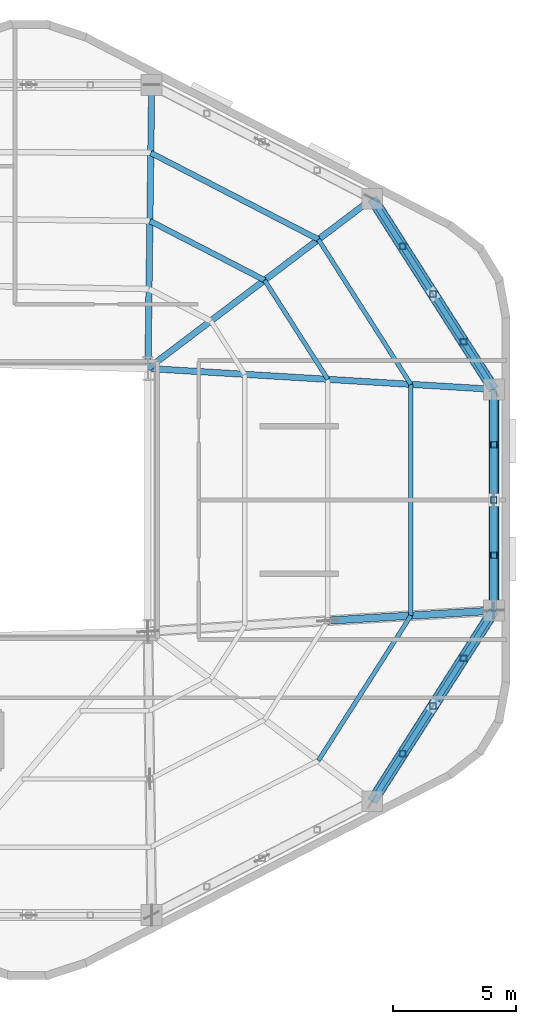
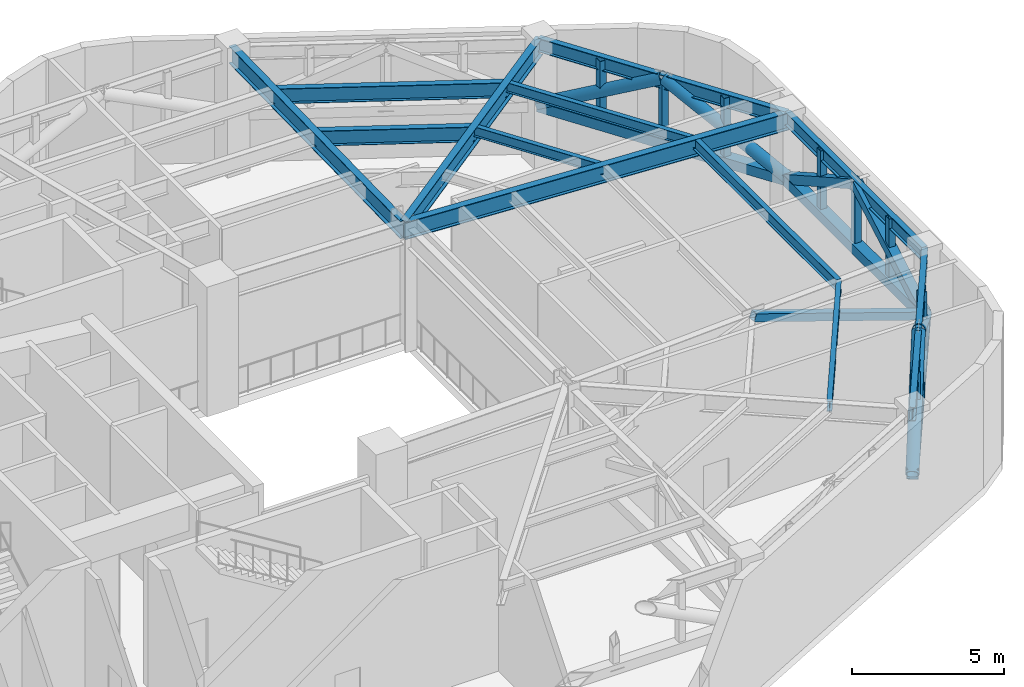
# One storey, part 4 of 10: 19 members, 12 beams.
"""IFC4 building model written with IfcOpenShell, lengths in metres."""

from ifc_helpers import new_model, si_unit, direction, frame, origin, origin_2d, place, context, subcontext, project, spatial, hollow_rectangle, hollow_circle, i_section, extrude, material, material_profile, profile_set, type_object, element, save


model = new_model("IFC4")

# Units and contexts
model_context = context("Model", 3, precision=1e-05, world=origin(), true_north=direction((0.0, 1.0)))
body_context = subcontext(model_context, "Body", "Model", "MODEL_VIEW")
ifc_project = project(units=[si_unit("LENGTHUNIT", "METRE"), si_unit("AREAUNIT", "SQUARE_METRE"), si_unit("VOLUMEUNIT", "CUBIC_METRE"), si_unit("PLANEANGLEUNIT", "RADIAN"), si_unit("MASSUNIT", "GRAM", prefix="KILO"), si_unit("THERMODYNAMICTEMPERATUREUNIT", "KELVIN"), si_unit("POWERUNIT", "WATT")], contexts=[model_context])

# Site, building, storey
site_placement = place(None, origin())
site = spatial("IfcSite", under=ifc_project, at=site_placement, CompositionType="ELEMENT")
building_placement = place(site_placement, origin())
building = spatial("IfcBuilding", under=site, at=building_placement, Name="Skarre Station Tower", CompositionType="ELEMENT")
storey_placement = place(building_placement, frame((0.0, 0.0, 191.25)))
storey = spatial("IfcBuildingStorey", under=building, at=storey_placement, Name="L52", CompositionType="ELEMENT", Elevation=191.25)

# Beams
ifc_material_1 = material(Name="Steel ASTM A992 Grade 50", Category="steel")
ifc_material_profile_1 = material_profile(ifc_material_1, i_section(OverallWidth=0.256103515625, OverallDepth=0.693115234375, WebThickness=0.013916015625, FlangeThickness=0.02392578125, at=origin_2d()), Name="Steel ASTM A992 Grade 50")
ifc_profile_set_1 = profile_set([ifc_material_profile_1], Name="Steel ASTM A992 Grade 50")
beam_type_1 = type_object("IfcBeamType", Name="Steel Beam W27X114", PredefinedType="BEAM", material=ifc_profile_set_1)
beam_1_placement = place(storey_placement, frame((39.449951171875, 29.35009765625, 4.593994140625), z_axis=(0.797308988117, 0.603571352425, 0.0), x_axis=(-0.603571352425, 0.797308988117, 0.0)))
element("IfcBeam", 1, at=beam_1_placement, inside=storey, type_object=beam_type_1, Name="L52 Radial Floor Girder F0C1", PredefinedType="BEAM", context=body_context, shape_type="SweptSolid", body=[
    extrude(i_section(OverallWidth=0.256103515625, OverallDepth=0.693115234375, WebThickness=0.013916015625, FlangeThickness=0.02392578125, at=origin_2d()), origin(), (0.0, 0.0, 1.0), 11.443603515625),
])
beam_2_placement = place(storey_placement, frame((39.449951171875, 29.35009765625, 4.593994140625), z_axis=(0.013181528887, 0.999913119874, 0.0), x_axis=(-0.999913119874, 0.013181528887, 0.0)))
element("IfcBeam", 2, at=beam_2_placement, inside=storey, type_object=beam_type_1, Name="L52 Radial Floor Girder F0C2", PredefinedType="BEAM", context=body_context, shape_type="SweptSolid", body=[
    extrude(i_section(OverallWidth=0.256103515625, OverallDepth=0.693115234375, WebThickness=0.013916015625, FlangeThickness=0.02392578125, at=origin_2d()), origin(), (0.0, 0.0, 1.0), 11.538818359375),
])
beam_3_placement = place(storey_placement, frame((39.449951171875, 29.35009765625, 4.593994140625), z_axis=(0.998184432941, -0.060231535207, 0.0), x_axis=(0.060231535207, 0.998184432941, 0.0)))
element("IfcBeam", 3, at=beam_3_placement, inside=storey, type_object=beam_type_1, Name="L52 Radial Floor Girder F5C2", PredefinedType="BEAM", context=body_context, shape_type="SweptSolid", body=[
    extrude(i_section(OverallWidth=0.256103515625, OverallDepth=0.693115234375, WebThickness=0.013916015625, FlangeThickness=0.02392578125, at=origin_2d()), origin(), (0.0, 0.0, 1.0), 14.09765625),
])
ifc_material_profile_2 = material_profile(ifc_material_1, i_section(OverallWidth=0.177978515625, OverallDepth=0.403076171875, WebThickness=0.008056640625, FlangeThickness=0.010986328125, at=origin_2d()), Name="Steel ASTM A992 Grade 50")
ifc_profile_set_2 = profile_set([ifc_material_profile_2], Name="Steel ASTM A992 Grade 50")
beam_type_2 = type_object("IfcBeamType", Name="Steel Joist W16X36", PredefinedType="JOIST", material=ifc_profile_set_2)
beam_4_placement = place(storey_placement, frame((46.384033203125, 13.40087890625, 4.738037109375), z_axis=(0.537916675884, 0.842998012931, 0.0), x_axis=(-0.842998012931, 0.537916675884, 0.0)))
element("IfcBeam", 4, at=beam_4_placement, inside=storey, type_object=beam_type_2, Name="L52 Auxiliary Composite Joist 18", PredefinedType="JOIST", context=body_context, shape_type="SweptSolid", body=[
    extrude(i_section(OverallWidth=0.177978515625, OverallDepth=0.403076171875, WebThickness=0.008056640625, FlangeThickness=0.010986328125, at=origin_2d()), origin(), (0.0, 0.0, 1.0), 6.99169921875),
])
beam_5_placement = place(storey_placement, frame((46.76708984375, 28.908935546875, 4.738037109375), z_axis=(-0.53785259263, 0.843038901001, 0.0), x_axis=(-0.843038901001, -0.53785259263, 0.0)))
element("IfcBeam", 5, at=beam_5_placement, inside=storey, type_object=beam_type_2, Name="L52 Auxiliary Composite Joist 23", PredefinedType="JOIST", context=body_context, shape_type="SweptSolid", body=[
    extrude(i_section(OverallWidth=0.177978515625, OverallDepth=0.403076171875, WebThickness=0.008056640625, FlangeThickness=0.010986328125, at=origin_2d()), origin(), (0.0, 0.0, 1.0), 4.783935546875),
])
beam_6_placement = place(storey_placement, frame((50.14501953125, 28.705078125, 4.738037109375), z_axis=(-0.537916675884, 0.842998012931, 0.0), x_axis=(-0.842998012931, -0.537916675884, 0.0)))
element("IfcBeam", 6, at=beam_6_placement, inside=storey, type_object=beam_type_2, Name="L52 Auxiliary Composite Joist 24", PredefinedType="JOIST", context=body_context, shape_type="SweptSolid", body=[
    extrude(i_section(OverallWidth=0.177978515625, OverallDepth=0.403076171875, WebThickness=0.008056640625, FlangeThickness=0.010986328125, at=origin_2d()), origin(), (0.0, 0.0, 1.0), 6.99169921875),
])
ifc_material_profile_3 = material_profile(ifc_material_1, i_section(OverallWidth=0.19091796875, OverallDepth=0.45703125, WebThickness=0.009033203125, FlangeThickness=0.013916015625, at=origin_2d()), Name="Steel ASTM A992 Grade 50")
ifc_profile_set_3 = profile_set([ifc_material_profile_3], Name="Steel ASTM A992 Grade 50")
beam_type_3 = type_object("IfcBeamType", Name="Steel Joist W18X50", PredefinedType="JOIST", material=ifc_profile_set_3)
beam_7_placement = place(storey_placement, frame((50.14501953125, 19.294921875, 4.7119140625), z_axis=(0.0, 1.0, 0.0), x_axis=(-1.0, 0.0, 0.0)))
element("IfcBeam", 7, at=beam_7_placement, inside=storey, type_object=beam_type_3, Name="L52 Auxiliary Composite Joist 21", PredefinedType="JOIST", context=body_context, shape_type="SweptSolid", body=[
    extrude(i_section(OverallWidth=0.19091796875, OverallDepth=0.45703125, WebThickness=0.009033203125, FlangeThickness=0.013916015625, at=origin_2d()), origin(), (0.0, 0.0, 1.0), 9.41015625),
])
ifc_material_profile_4 = material_profile(ifc_material_1, i_section(OverallWidth=0.22802734375, OverallDepth=0.60791015625, WebThickness=0.010986328125, FlangeThickness=0.01708984375, at=origin_2d()), Name="Steel ASTM A992 Grade 50")
ifc_profile_set_4 = profile_set([ifc_material_profile_4], Name="Steel ASTM A992 Grade 50")
beam_type_4 = type_object("IfcBeamType", Name="Steel Joist W24X76", PredefinedType="JOIST", material=ifc_profile_set_4)
beam_8_placement = place(storey_placement, frame((44.194091796875, 32.94189453125, 4.635986328125), z_axis=(-0.888586417093, 0.458709253622, 0.0), x_axis=(-0.458709253622, -0.888586417093, 0.0)))
element("IfcBeam", 8, at=beam_8_placement, inside=storey, type_object=beam_type_4, Name="L52 Secondary Floor Joist 2", PredefinedType="JOIST", context=body_context, shape_type="SweptSolid", body=[
    extrude(i_section(OverallWidth=0.22802734375, OverallDepth=0.60791015625, WebThickness=0.010986328125, FlangeThickness=0.01708984375, at=origin_2d()), origin(), (0.0, 0.0, 1.0), 5.25),
])
beam_9_placement = place(storey_placement, frame((46.384033203125, 34.59912109375, 4.635986328125), z_axis=(-0.888580913917, 0.458719913916, 0.0), x_axis=(-0.458719913916, -0.888580913917, 0.0)))
element("IfcBeam", 9, at=beam_9_placement, inside=storey, type_object=beam_type_4, Name="L52 Secondary Floor Joist 3", PredefinedType="JOIST", context=body_context, shape_type="SweptSolid", body=[
    extrude(i_section(OverallWidth=0.22802734375, OverallDepth=0.60791015625, WebThickness=0.010986328125, FlangeThickness=0.01708984375, at=origin_2d()), origin(), (0.0, 0.0, 1.0), 7.673095703125),
])
ifc_material_profile_5 = material_profile(ifc_material_1, i_section(OverallWidth=0.214111328125, OverallDepth=0.549072265625, WebThickness=0.014892578125, FlangeThickness=0.02392578125, at=origin_2d()), Name="Steel ASTM A992 Grade 50")
ifc_profile_set_5 = profile_set([ifc_material_profile_5], Name="Steel ASTM A992 Grade 50")
beam_type_5 = type_object("IfcBeamType", Name="Steel Spandrel W21X93", PredefinedType="SPANDREL", material=ifc_profile_set_5)
beam_10_placement = place(storey_placement, frame((48.573974609375, 11.742919921875, 4.666015625), z_axis=(0.537826426158, 0.843055594445, 0.0), x_axis=(-0.843055594445, 0.537826426158, 0.0)))
element("IfcBeam", 10, at=beam_10_placement, inside=storey, type_object=beam_type_5, Name="L52 Facet Spandrel Beam 10", PredefinedType="SPANDREL", context=body_context, shape_type="SweptSolid", body=[
    extrude(i_section(OverallWidth=0.214111328125, OverallDepth=0.549072265625, WebThickness=0.014892578125, FlangeThickness=0.02392578125, at=origin_2d()), origin(), (0.0, 0.0, 1.0), 9.199951171875),
])
beam_11_placement = place(storey_placement, frame((53.52197265625, 19.4990234375, 4.666015625), z_axis=(0.0, 1.0, 0.0), x_axis=(-1.0, 0.0, 0.0)))
element("IfcBeam", 11, at=beam_11_placement, inside=storey, type_object=beam_type_5, Name="L52 Facet Spandrel Beam 11", PredefinedType="SPANDREL", context=body_context, shape_type="SweptSolid", body=[
    extrude(i_section(OverallWidth=0.214111328125, OverallDepth=0.549072265625, WebThickness=0.014892578125, FlangeThickness=0.02392578125, at=origin_2d()), origin(), (0.0, 0.0, 1.0), 9.001953125),
])
beam_12_placement = place(storey_placement, frame((53.52197265625, 28.5009765625, 4.666015625), z_axis=(-0.537826426158, 0.843055594445, 0.0), x_axis=(-0.843055594445, -0.537826426158, 0.0)))
element("IfcBeam", 12, at=beam_12_placement, inside=storey, type_object=beam_type_5, Name="L52 Facet Spandrel Beam 12", PredefinedType="SPANDREL", context=body_context, shape_type="SweptSolid", body=[
    extrude(i_section(OverallWidth=0.214111328125, OverallDepth=0.549072265625, WebThickness=0.014892578125, FlangeThickness=0.02392578125, at=origin_2d()), origin(), (0.0, 0.0, 1.0), 9.199951171875),
])

# Members
ifc_material_2 = material(Name="Steel ASTM A500 Grade C", Category="steel")
ifc_material_profile_6 = material_profile(ifc_material_2, hollow_circle(Radius=0.228515625, WallThickness=0.02001953125, at=origin_2d()), Name="Steel ASTM A500 Grade C")
ifc_profile_set_6 = profile_set([ifc_material_profile_6], Name="Steel ASTM A500 Grade C")
member_type_1 = type_object("IfcMemberType", Name="Steel Truss Brace CHS457X20", PredefinedType="BRACE", material=ifc_profile_set_6)
member_1_placement = place(storey_placement, frame((48.573974609375, 11.742919921875, 2.25), z_axis=(0.470827423169, 0.73801989511, 0.483371670678), x_axis=(-0.843051238247, 0.537833254542, 0.0)))
element("IfcMember", 13, at=member_1_placement, inside=storey, type_object=member_type_1, Name="L52 Belt Truss Chevron Diagonal 10A", PredefinedType="BRACE", context=body_context, shape_type="SweptSolid", body=[
    extrude(hollow_circle(Radius=0.228515625, WallThickness=0.02001953125, at=origin_2d()), origin(), (0.0, 0.0, 1.0), 5.2548828125),
])
for number, where, z_axis, x_axis, name in (
    (14, (53.52197265625, 19.4990234375, 2.25), (-0.470807404798, -0.738014883826, 0.48339881965), (0.843059950908, -0.537819597239, 0.0), "L52 Belt Truss Chevron Diagonal 10B"),
    (15, (53.52197265625, 28.5009765625, 2.25), (-0.470807404798, 0.738014883826, 0.48339881965), (-0.843059950908, -0.537819597239, 0.0), "L52 Belt Truss Chevron Diagonal 12A"),
):
    element("IfcMember", number, at=place(storey_placement, frame(where, z_axis=z_axis, x_axis=x_axis)), inside=storey, type_object=member_type_1, Name=name, PredefinedType="BRACE", context=body_context, shape_type="SweptSolid", body=[
        extrude(hollow_circle(Radius=0.228515625, WallThickness=0.02001953125, at=origin_2d()), origin(), (0.0, 0.0, 1.0), 5.254638671875),
    ])
member_2_placement = place(storey_placement, frame((48.573974609375, 36.257080078125, 2.25), z_axis=(0.470827423169, -0.73801989511, 0.483371670678), x_axis=(0.843051238247, 0.537833254542, 0.0)))
element("IfcMember", 16, at=member_2_placement, inside=storey, type_object=member_type_1, Name="L52 Belt Truss Chevron Diagonal 12B", PredefinedType="BRACE", context=body_context, shape_type="SweptSolid", body=[
    extrude(hollow_circle(Radius=0.228515625, WallThickness=0.02001953125, at=origin_2d()), origin(), (0.0, 0.0, 1.0), 5.2548828125),
])
ifc_material_profile_7 = material_profile(ifc_material_2, hollow_rectangle(XDim=0.300048828125, YDim=0.300048828125, WallThickness=0.01611328125, at=origin_2d()), Name="Steel ASTM A500 Grade C")
ifc_profile_set_7 = profile_set([ifc_material_profile_7], Name="Steel ASTM A500 Grade C")
member_type_2 = type_object("IfcMemberType", Name="Steel Truss Brace HSS300X300X16", PredefinedType="BRACE", material=ifc_profile_set_7)
member_3_placement = place(storey_placement, frame((53.52197265625, 19.4990234375, 2.25), z_axis=(-0.934519801536, -0.056440024157, 0.351407547173), x_axis=(0.060284834858, -0.998181215354, 0.0)))
element("IfcMember", 17, at=member_3_placement, inside=storey, type_object=member_type_2, Name="L52 Outrigger Truss Diagonal 3B", PredefinedType="BRACE", context=body_context, shape_type="SweptSolid", body=[
    extrude(hollow_rectangle(XDim=0.300048828125, YDim=0.300048828125, WallThickness=0.01611328125, at=origin_2d()), origin(), (0.0, 0.0, 1.0), 7.228271484375),
])
ifc_material_profile_8 = material_profile(ifc_material_2, hollow_rectangle(XDim=0.35009765625, YDim=0.35009765625, WallThickness=0.02001953125, at=origin_2d()), Name="Steel ASTM A500 Grade C")
ifc_profile_set_8 = profile_set([ifc_material_profile_8], Name="Steel ASTM A500 Grade C")
member_type_3 = type_object("IfcMemberType", Name="Steel Truss Brace HSS350X350X20", PredefinedType="BRACE", material=ifc_profile_set_8)
for number, where, z_axis, x_axis, name in (
    (18, (53.52197265625, 19.4990234375, 2.25), (0.0, 0.870893448532, 0.491471872343), (-1.0, 0.0, 0.0), "L52 Belt Truss Chevron Diagonal 11A"),
    (19, (53.52197265625, 28.5009765625, 2.25), (0.0, -0.870893448532, 0.491471872343), (1.0, 0.0, 0.0), "L52 Belt Truss Chevron Diagonal 11B"),
):
    element("IfcMember", number, at=place(storey_placement, frame(where, z_axis=z_axis, x_axis=x_axis)), inside=storey, type_object=member_type_3, Name=name, PredefinedType="BRACE", context=body_context, shape_type="SweptSolid", body=[
        extrude(hollow_rectangle(XDim=0.35009765625, YDim=0.35009765625, WallThickness=0.02001953125, at=origin_2d()), origin(), (0.0, 0.0, 1.0), 5.168212890625),
    ])
ifc_material_profile_9 = material_profile(ifc_material_2, hollow_rectangle(XDim=0.39990234375, YDim=0.39990234375, WallThickness=0.02197265625, at=origin_2d()), Name="Steel ASTM A500 Grade C")
ifc_profile_set_9 = profile_set([ifc_material_profile_9], Name="Steel ASTM A500 Grade C")
member_type_4 = type_object("IfcMemberType", Name="Steel Truss Chord HSS400X400X22", PredefinedType="CHORD", material=ifc_profile_set_9)
member_4_placement = place(storey_placement, frame((48.573974609375, 11.742919921875, 2.25), z_axis=(0.537826426158, 0.843055594445, 0.0), x_axis=(-0.843055594445, 0.537826426158, 0.0)))
element("IfcMember", 20, at=member_4_placement, inside=storey, type_object=member_type_4, Name="L52 Belt Truss Bottom Chord 10", PredefinedType="CHORD", context=body_context, shape_type="SweptSolid", body=[
    extrude(hollow_rectangle(XDim=0.39990234375, YDim=0.39990234375, WallThickness=0.02197265625, at=origin_2d()), origin(), (0.0, 0.0, 1.0), 9.199951171875),
])
member_5_placement = place(storey_placement, frame((53.52197265625, 19.4990234375, 2.25), z_axis=(0.0, 1.0, 0.0), x_axis=(-1.0, 0.0, 0.0)))
element("IfcMember", 21, at=member_5_placement, inside=storey, type_object=member_type_4, Name="L52 Belt Truss Bottom Chord 11", PredefinedType="CHORD", context=body_context, shape_type="SweptSolid", body=[
    extrude(hollow_rectangle(XDim=0.39990234375, YDim=0.39990234375, WallThickness=0.02197265625, at=origin_2d()), origin(), (0.0, 0.0, 1.0), 9.001953125),
])
member_6_placement = place(storey_placement, frame((53.52197265625, 28.5009765625, 2.25), z_axis=(-0.537826426158, 0.843055594445, 0.0), x_axis=(-0.843055594445, -0.537826426158, 0.0)))
element("IfcMember", 22, at=member_6_placement, inside=storey, type_object=member_type_4, Name="L52 Belt Truss Bottom Chord 12", PredefinedType="CHORD", context=body_context, shape_type="SweptSolid", body=[
    extrude(hollow_rectangle(XDim=0.39990234375, YDim=0.39990234375, WallThickness=0.02197265625, at=origin_2d()), origin(), (0.0, 0.0, 1.0), 9.199951171875),
])
ifc_material_profile_10 = material_profile(ifc_material_2, hollow_rectangle(XDim=0.25, YDim=0.25, WallThickness=0.01611328125, at=origin_2d()), Name="Steel ASTM A500 Grade C")
ifc_profile_set_10 = profile_set([ifc_material_profile_10], Name="Steel ASTM A500 Grade C")
member_type_5 = type_object("IfcMemberType", Name="Steel Truss Strut HSS250X250X16", PredefinedType="STRUT", material=ifc_profile_set_10)
for number, where, z_axis, x_axis, name in (
    (23, (49.81103515625, 13.681884765625, 2.25), (0.0, 0.0, 1.0), (1.0, 0.0, 0.0), "L52 Belt Truss Web Post 10-1"),
    (24, (51.048095703125, 15.62109375, 2.25), (0.0, 0.0, 1.0), (1.0, 0.0, 0.0), "L52 Belt Truss Web Post 10-2"),
    (25, (52.284912109375, 17.56005859375, 2.25), (0.0, 0.0, 1.0), (1.0, 0.0, 0.0), "L52 Belt Truss Web Post 10-3"),
    (26, (53.52197265625, 21.7490234375, 2.25), (0.0, 0.0, 1.0), (1.0, 0.0, 0.0), "L52 Belt Truss Web Post 11-1"),
    (27, (53.52197265625, 24.0, 2.25), (0.0, 0.0, 1.0), (1.0, 0.0, 0.0), "L52 Belt Truss Web Post 11-2"),
    (28, (53.52197265625, 26.2509765625, 2.25), (0.0, 0.0, 1.0), (1.0, 0.0, 0.0), "L52 Belt Truss Web Post 11-3"),
    (29, (52.284912109375, 30.43994140625, 2.25), (0.0, 0.0, 1.0), (1.0, 0.0, 0.0), "L52 Belt Truss Web Post 12-1"),
    (30, (51.048095703125, 32.37890625, 2.25), (0.0, 0.0, 1.0), (1.0, 0.0, 0.0), "L52 Belt Truss Web Post 12-2"),
    (31, (49.81103515625, 34.318115234375, 2.25), (0.0, 0.0, 1.0), (1.0, 0.0, 0.0), "L52 Belt Truss Web Post 12-3"),
):
    element("IfcMember", number, at=place(storey_placement, frame(where, z_axis=z_axis, x_axis=x_axis)), inside=storey, type_object=member_type_5, Name=name, PredefinedType="STRUT", context=body_context, shape_type="SweptSolid", body=[
        extrude(hollow_rectangle(XDim=0.25, YDim=0.25, WallThickness=0.01611328125, at=origin_2d()), origin(), (0.0, 0.0, 1.0), 2.5400390625),
    ])

save(model, "model.ifc")
